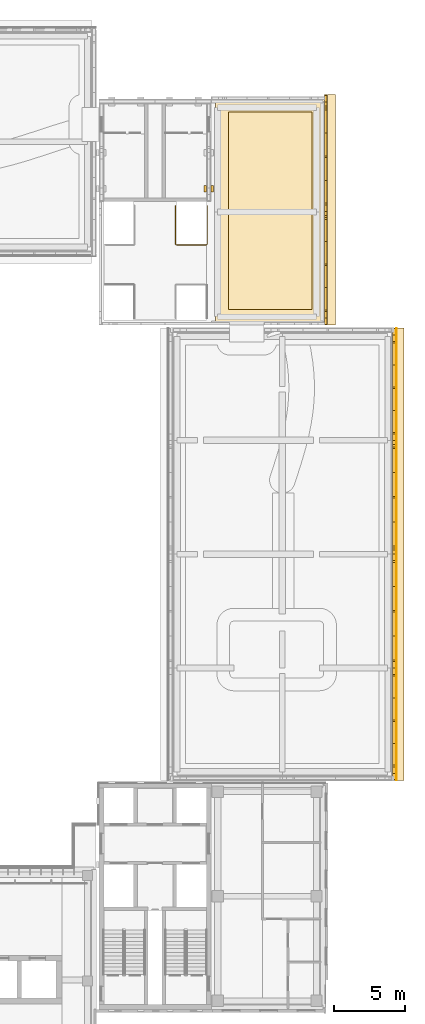
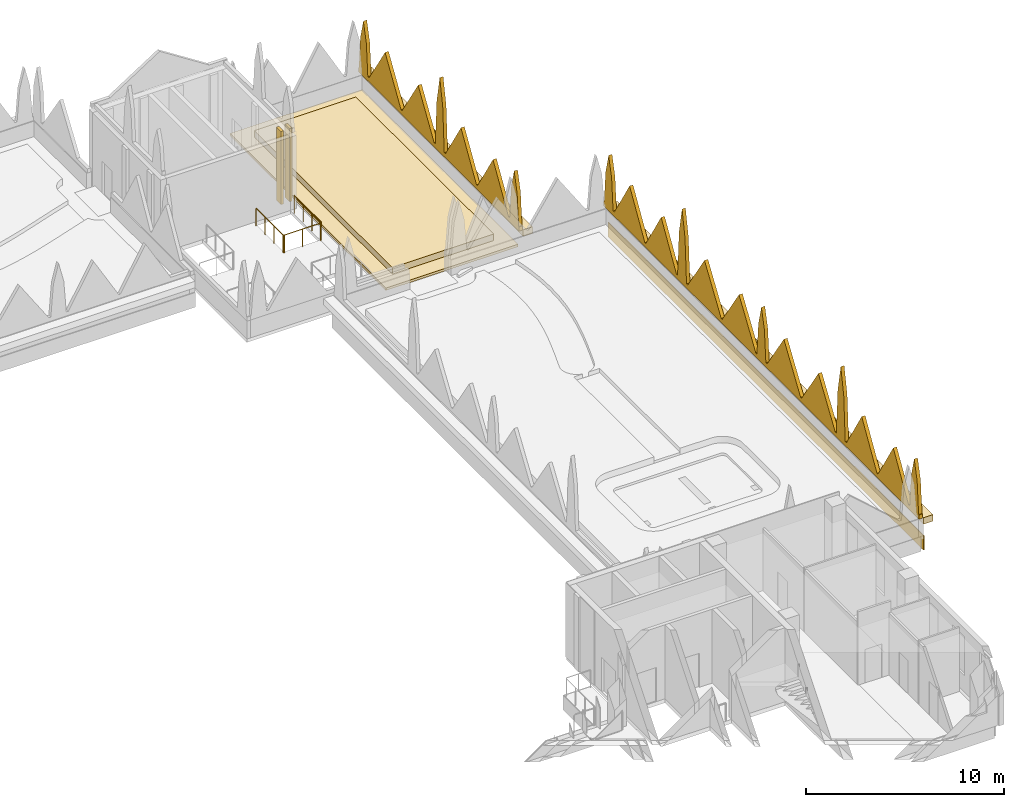
# One storey, part 43 of 46: 9 coverings, 1 railing.
"""IFC4 building model written with IfcOpenShell, lengths in metres."""

from ifc_helpers import new_model, si_unit, direction, frame, frame_2d, origin, origin_2d, place, context, subcontext, project, spatial, polyline, rectangle, circle, outline, extrude, material, layer, layer_set, type_object, element, save


model = new_model("IFC4")

# Units and contexts
model_context = context("Model", 3, precision=1e-05, world=origin(), true_north=direction((0.0, 1.0)))
body_context = subcontext(model_context, "Body", "Model", "MODEL_VIEW")
ifc_project = project(units=[si_unit("LENGTHUNIT", "METRE"), si_unit("AREAUNIT", "SQUARE_METRE"), si_unit("VOLUMEUNIT", "CUBIC_METRE"), si_unit("PLANEANGLEUNIT", "RADIAN"), si_unit("MASSUNIT", "GRAM", prefix="KILO")], contexts=[model_context])

# Site, building, storey
site_placement = place(None, origin())
site = spatial("IfcSite", under=ifc_project, at=site_placement, CompositionType="ELEMENT")
building_placement = place(site_placement, origin())
building = spatial("IfcBuilding", under=site, at=building_placement, Name="Lantern Court Media Centre", CompositionType="ELEMENT")
storey_placement = place(building_placement, frame((0.0, 0.0, 28.800048828125)))
storey = spatial("IfcBuildingStorey", under=building, at=storey_placement, Name="L06", CompositionType="ELEMENT", Elevation=28.800048828125)

# Railing
ifc_material_1 = material(Name="Powder-coated steel", Category="steel")
railing_type = type_object("IfcRailingType", Name="Floor edge guard 1100", PredefinedType="GUARDRAIL", material=ifc_material_1)
railing_placement = place(storey_placement, frame((85.489990234375, 104.5, 0.0)))
element("IfcRailing", 1, at=railing_placement, inside=storey, type_object=railing_type, Name="L06 opening guard 162", PredefinedType="GUARDRAIL", context=body_context, shape_type="SweptSolid", body=[
    extrude(circle(Radius=0.02392578125, at=origin_2d()), frame((0.0, 0.0, 1.076171875), z_axis=(0.0, -1.0, 0.0), x_axis=(1.0, 0.0, 0.0)), (0.0, 0.0, 1.0), 2.699951171875),
    extrude(circle(Radius=0.02392578125, at=origin_2d()), frame((0.0, -2.699951171875, 1.076171875), z_axis=(0.041630544712, -0.999133073092, 0.0), x_axis=(0.999133073092, 0.041630544712, 0.0)), (0.0, 0.0, 1.0), 0.005859375),
    extrude(circle(Radius=0.02392578125, at=origin_2d()), frame((0.000244140625, -2.705810546875, 1.076171875), z_axis=(0.164398987305, -0.986393923832, 0.0), x_axis=(0.986393923832, 0.164398987305, 0.0)), (0.0, 0.0, 1.0), 0.005859375),
    extrude(circle(Radius=0.02392578125, at=origin_2d()), frame((0.001220703125, -2.711669921875, 1.076171875), z_axis=(0.242535625036, -0.970142500145, 0.0), x_axis=(0.970142500145, 0.242535625036, 0.0)), (0.0, 0.0, 1.0), 0.006103515625),
    extrude(circle(Radius=0.02392578125, at=origin_2d()), frame((0.002685546875, -2.717529296875, 1.076171875), z_axis=(0.341743063087, -0.939793423488, 0.0), x_axis=(0.939793423488, 0.341743063087, 0.0)), (0.0, 0.0, 1.0), 0.005615234375),
    extrude(circle(Radius=0.02392578125, at=origin_2d()), frame((0.004638671875, -2.722900390625, 1.076171875), z_axis=(0.413802944301, -0.910366477463, 0.0), x_axis=(0.910366477463, 0.413802944301, 0.0)), (0.0, 0.0, 1.0), 0.005859375),
    extrude(circle(Radius=0.02392578125, at=origin_2d()), frame((0.007080078125, -2.728271484375, 1.076171875), z_axis=(0.496138938357, -0.868243142124, 0.0), x_axis=(0.868243142124, 0.496138938357, 0.0)), (0.0, 0.0, 1.0), 0.005859375),
    extrude(circle(Radius=0.02392578125, at=origin_2d()), frame((0.010009765625, -2.7333984375, 1.076171875), z_axis=(0.619644288579, -0.784882765533, 0.0), x_axis=(0.784882765533, 0.619644288579, 0.0)), (0.0, 0.0, 1.0), 0.005859375),
    extrude(circle(Radius=0.02392578125, at=origin_2d()), frame((0.013671875, -2.738037109375, 1.076171875), z_axis=(0.66436383883, -0.747409318684, 0.0), x_axis=(0.747409318684, 0.66436383883, 0.0)), (0.0, 0.0, 1.0), 0.005859375),
    extrude(circle(Radius=0.02392578125, at=origin_2d()), frame((0.017578125, -2.742431640625, 1.076171875), z_axis=(0.747409318684, -0.66436383883, 0.0), x_axis=(0.66436383883, 0.747409318684, 0.0)), (0.0, 0.0, 1.0), 0.005859375),
    extrude(circle(Radius=0.02392578125, at=origin_2d()), frame((0.02197265625, -2.746337890625, 1.076171875), z_axis=(0.784882765533, -0.619644288579, 0.0), x_axis=(0.619644288579, 0.784882765533, 0.0)), (0.0, 0.0, 1.0), 0.005859375),
    extrude(circle(Radius=0.02392578125, at=origin_2d()), frame((0.026611328125, -2.75, 1.076171875), z_axis=(0.868243142124, -0.496138938357, 0.0), x_axis=(0.496138938357, 0.868243142124, 0.0)), (0.0, 0.0, 1.0), 0.005859375),
    extrude(circle(Radius=0.02392578125, at=origin_2d()), frame((0.03173828125, -2.7529296875, 1.076171875), z_axis=(0.910366477463, -0.413802944301, 0.0), x_axis=(0.413802944301, 0.910366477463, 0.0)), (0.0, 0.0, 1.0), 0.005859375),
    extrude(circle(Radius=0.02392578125, at=origin_2d()), frame((0.037109375, -2.75537109375, 1.076171875), z_axis=(0.939793423488, -0.341743063087, 0.0), x_axis=(0.341743063087, 0.939793423488, 0.0)), (0.0, 0.0, 1.0), 0.005615234375),
    extrude(circle(Radius=0.02392578125, at=origin_2d()), frame((0.04248046875, -2.75732421875, 1.076171875), z_axis=(0.970142500145, -0.242535625036, 0.0), x_axis=(0.242535625036, 0.970142500145, 0.0)), (0.0, 0.0, 1.0), 0.006103515625),
    extrude(circle(Radius=0.02392578125, at=origin_2d()), frame((0.04833984375, -2.7587890625, 1.076171875), z_axis=(0.986393923832, -0.164398987305, 0.0), x_axis=(0.164398987305, 0.986393923832, 0.0)), (0.0, 0.0, 1.0), 0.005859375),
    extrude(circle(Radius=0.02392578125, at=origin_2d()), frame((0.05419921875, -2.759765625, 1.076171875), z_axis=(0.999133073092, -0.041630544712, 0.0), x_axis=(0.041630544712, 0.999133073092, 0.0)), (0.0, 0.0, 1.0), 0.005859375),
    extrude(circle(Radius=0.02392578125, at=origin_2d()), frame((0.06005859375, -2.760009765625, 1.076171875), z_axis=(1.0, 0.0, 0.0), x_axis=(0.0, 1.0, 0.0)), (0.0, 0.0, 1.0), 2.099853515625),
    extrude(circle(Radius=0.02392578125, at=origin_2d()), frame((2.159912109375, -2.760009765625, 1.076171875), z_axis=(0.999133073092, 0.041630544712, 0.0), x_axis=(-0.041630544712, 0.999133073092, 0.0)), (0.0, 0.0, 1.0), 0.005859375),
    extrude(circle(Radius=0.02392578125, at=origin_2d()), frame((2.165771484375, -2.759765625, 1.076171875), z_axis=(0.986393923832, 0.164398987305, 0.0), x_axis=(-0.164398987305, 0.986393923832, 0.0)), (0.0, 0.0, 1.0), 0.005859375),
    extrude(circle(Radius=0.02392578125, at=origin_2d()), frame((2.171630859375, -2.7587890625, 1.076171875), z_axis=(0.970142500145, 0.242535625036, 0.0), x_axis=(-0.242535625036, 0.970142500145, 0.0)), (0.0, 0.0, 1.0), 0.006103515625),
    extrude(circle(Radius=0.02392578125, at=origin_2d()), frame((2.177490234375, -2.75732421875, 1.076171875), z_axis=(0.939793423488, 0.341743063087, 0.0), x_axis=(-0.341743063087, 0.939793423488, 0.0)), (0.0, 0.0, 1.0), 0.005615234375),
    extrude(circle(Radius=0.02392578125, at=origin_2d()), frame((2.182861328125, -2.75537109375, 1.076171875), z_axis=(0.910366477463, 0.413802944301, 0.0), x_axis=(-0.413802944301, 0.910366477463, 0.0)), (0.0, 0.0, 1.0), 0.005859375),
    extrude(circle(Radius=0.02392578125, at=origin_2d()), frame((2.188232421875, -2.7529296875, 1.076171875), z_axis=(0.868243142124, 0.496138938357, 0.0), x_axis=(-0.496138938357, 0.868243142124, 0.0)), (0.0, 0.0, 1.0), 0.005859375),
    extrude(circle(Radius=0.02392578125, at=origin_2d()), frame((2.193359375, -2.75, 1.076171875), z_axis=(0.784882765533, 0.619644288579, 0.0), x_axis=(-0.619644288579, 0.784882765533, 0.0)), (0.0, 0.0, 1.0), 0.005859375),
    extrude(circle(Radius=0.02392578125, at=origin_2d()), frame((2.197998046875, -2.746337890625, 1.076171875), z_axis=(0.747409318684, 0.66436383883, 0.0), x_axis=(-0.66436383883, 0.747409318684, 0.0)), (0.0, 0.0, 1.0), 0.005859375),
    extrude(circle(Radius=0.02392578125, at=origin_2d()), frame((2.202392578125, -2.742431640625, 1.076171875), z_axis=(0.66436383883, 0.747409318684, 0.0), x_axis=(-0.747409318684, 0.66436383883, 0.0)), (0.0, 0.0, 1.0), 0.005859375),
    extrude(circle(Radius=0.02392578125, at=origin_2d()), frame((2.206298828125, -2.738037109375, 1.076171875), z_axis=(0.619644288579, 0.784882765533, 0.0), x_axis=(-0.784882765533, 0.619644288579, 0.0)), (0.0, 0.0, 1.0), 0.005859375),
    extrude(circle(Radius=0.02392578125, at=origin_2d()), frame((2.2099609375, -2.7333984375, 1.076171875), z_axis=(0.496138938357, 0.868243142124, 0.0), x_axis=(-0.868243142124, 0.496138938357, 0.0)), (0.0, 0.0, 1.0), 0.005859375),
    extrude(circle(Radius=0.02392578125, at=origin_2d()), frame((2.212890625, -2.728271484375, 1.076171875), z_axis=(0.413802944301, 0.910366477463, 0.0), x_axis=(-0.910366477463, 0.413802944301, 0.0)), (0.0, 0.0, 1.0), 0.005859375),
    extrude(circle(Radius=0.02392578125, at=origin_2d()), frame((2.21533203125, -2.722900390625, 1.076171875), z_axis=(0.378632845721, 0.925546956206, 0.0), x_axis=(-0.925546956206, 0.378632845721, 0.0)), (0.0, 0.0, 1.0), 0.005859375),
    extrude(circle(Radius=0.02392578125, at=origin_2d()), frame((2.217529296875, -2.717529296875, 1.076171875), z_axis=(0.203954254112, 0.978980419738, 0.0), x_axis=(-0.978980419738, 0.203954254112, 0.0)), (0.0, 0.0, 1.0), 0.006103515625),
    extrude(circle(Radius=0.02392578125, at=origin_2d()), frame((2.21875, -2.711669921875, 1.076171875), z_axis=(0.164398987305, 0.986393923832, 0.0), x_axis=(-0.986393923832, 0.164398987305, 0.0)), (0.0, 0.0, 1.0), 0.005859375),
    extrude(circle(Radius=0.02392578125, at=origin_2d()), frame((2.2197265625, -2.705810546875, 1.076171875), z_axis=(0.041630544712, 0.999133073092, 0.0), x_axis=(-0.999133073092, 0.041630544712, 0.0)), (0.0, 0.0, 1.0), 0.005859375),
    extrude(circle(Radius=0.02392578125, at=origin_2d()), frame((2.219970703125, -2.699951171875, 1.076171875), z_axis=(0.0, 1.0, 0.0), x_axis=(-1.0, 0.0, 0.0)), (0.0, 0.0, 1.0), 2.699951171875),
    extrude(circle(Radius=0.02099609375, at=origin_2d()), origin(), (0.0, 0.0, 1.0), 1.052001953125),
    extrude(circle(Radius=0.02099609375, at=origin_2d()), frame((0.0, -0.89990234375, 0.0)), (0.0, 0.0, 1.0), 1.052001953125),
    extrude(circle(Radius=0.02099609375, at=origin_2d()), frame((0.0, -1.800048828125, 0.0)), (0.0, 0.0, 1.0), 1.052001953125),
    extrude(circle(Radius=0.02099609375, at=origin_2d()), frame((0.0, -2.699951171875, 0.0)), (0.0, 0.0, 1.0), 1.052001953125),
    extrude(circle(Radius=0.02099609375, at=origin_2d()), frame((0.000244140625, -2.705810546875, 0.0)), (0.0, 0.0, 1.0), 1.052001953125),
    extrude(circle(Radius=0.02099609375, at=origin_2d()), frame((0.001220703125, -2.711669921875, 0.0)), (0.0, 0.0, 1.0), 1.052001953125),
    extrude(circle(Radius=0.02099609375, at=origin_2d()), frame((0.002685546875, -2.717529296875, 0.0)), (0.0, 0.0, 1.0), 1.052001953125),
    extrude(circle(Radius=0.02099609375, at=origin_2d()), frame((0.004638671875, -2.722900390625, 0.0)), (0.0, 0.0, 1.0), 1.052001953125),
    extrude(circle(Radius=0.02099609375, at=origin_2d()), frame((0.007080078125, -2.728271484375, 0.0)), (0.0, 0.0, 1.0), 1.052001953125),
    extrude(circle(Radius=0.02099609375, at=origin_2d()), frame((0.010009765625, -2.7333984375, 0.0)), (0.0, 0.0, 1.0), 1.052001953125),
    extrude(circle(Radius=0.02099609375, at=origin_2d()), frame((0.013671875, -2.738037109375, 0.0)), (0.0, 0.0, 1.0), 1.052001953125),
    extrude(circle(Radius=0.02099609375, at=origin_2d()), frame((0.017578125, -2.742431640625, 0.0)), (0.0, 0.0, 1.0), 1.052001953125),
    extrude(circle(Radius=0.02099609375, at=origin_2d()), frame((0.02197265625, -2.746337890625, 0.0)), (0.0, 0.0, 1.0), 1.052001953125),
    extrude(circle(Radius=0.02099609375, at=origin_2d()), frame((0.026611328125, -2.75, 0.0)), (0.0, 0.0, 1.0), 1.052001953125),
    extrude(circle(Radius=0.02099609375, at=origin_2d()), frame((0.03173828125, -2.7529296875, 0.0)), (0.0, 0.0, 1.0), 1.052001953125),
    extrude(circle(Radius=0.02099609375, at=origin_2d()), frame((0.037109375, -2.75537109375, 0.0)), (0.0, 0.0, 1.0), 1.052001953125),
    extrude(circle(Radius=0.02099609375, at=origin_2d()), frame((0.04248046875, -2.75732421875, 0.0)), (0.0, 0.0, 1.0), 1.052001953125),
    extrude(circle(Radius=0.02099609375, at=origin_2d()), frame((0.04833984375, -2.7587890625, 0.0)), (0.0, 0.0, 1.0), 1.052001953125),
    extrude(circle(Radius=0.02099609375, at=origin_2d()), frame((0.05419921875, -2.759765625, 0.0)), (0.0, 0.0, 1.0), 1.052001953125),
    extrude(circle(Radius=0.02099609375, at=origin_2d()), frame((0.06005859375, -2.760009765625, 0.0)), (0.0, 0.0, 1.0), 1.052001953125),
    extrude(circle(Radius=0.02099609375, at=origin_2d()), frame((1.10986328125, -2.760009765625, 0.0)), (0.0, 0.0, 1.0), 1.052001953125),
    extrude(circle(Radius=0.02099609375, at=origin_2d()), frame((2.159912109375, -2.760009765625, 0.0)), (0.0, 0.0, 1.0), 1.052001953125),
    extrude(circle(Radius=0.02099609375, at=origin_2d()), frame((2.165771484375, -2.759765625, 0.0)), (0.0, 0.0, 1.0), 1.052001953125),
    extrude(circle(Radius=0.02099609375, at=origin_2d()), frame((2.171630859375, -2.7587890625, 0.0)), (0.0, 0.0, 1.0), 1.052001953125),
    extrude(circle(Radius=0.02099609375, at=origin_2d()), frame((2.177490234375, -2.75732421875, 0.0)), (0.0, 0.0, 1.0), 1.052001953125),
    extrude(circle(Radius=0.02099609375, at=origin_2d()), frame((2.182861328125, -2.75537109375, 0.0)), (0.0, 0.0, 1.0), 1.052001953125),
    extrude(circle(Radius=0.02099609375, at=origin_2d()), frame((2.188232421875, -2.7529296875, 0.0)), (0.0, 0.0, 1.0), 1.052001953125),
    extrude(circle(Radius=0.02099609375, at=origin_2d()), frame((2.193359375, -2.75, 0.0)), (0.0, 0.0, 1.0), 1.052001953125),
    extrude(circle(Radius=0.02099609375, at=origin_2d()), frame((2.197998046875, -2.746337890625, 0.0)), (0.0, 0.0, 1.0), 1.052001953125),
    extrude(circle(Radius=0.02099609375, at=origin_2d()), frame((2.202392578125, -2.742431640625, 0.0)), (0.0, 0.0, 1.0), 1.052001953125),
    extrude(circle(Radius=0.02099609375, at=origin_2d()), frame((2.206298828125, -2.738037109375, 0.0)), (0.0, 0.0, 1.0), 1.052001953125),
    extrude(circle(Radius=0.02099609375, at=origin_2d()), frame((2.2099609375, -2.7333984375, 0.0)), (0.0, 0.0, 1.0), 1.052001953125),
    extrude(circle(Radius=0.02099609375, at=origin_2d()), frame((2.212890625, -2.728271484375, 0.0)), (0.0, 0.0, 1.0), 1.052001953125),
    extrude(circle(Radius=0.02099609375, at=origin_2d()), frame((2.21533203125, -2.722900390625, 0.0)), (0.0, 0.0, 1.0), 1.052001953125),
    extrude(circle(Radius=0.02099609375, at=origin_2d()), frame((2.217529296875, -2.717529296875, 0.0)), (0.0, 0.0, 1.0), 1.052001953125),
    extrude(circle(Radius=0.02099609375, at=origin_2d()), frame((2.21875, -2.711669921875, 0.0)), (0.0, 0.0, 1.0), 1.052001953125),
    extrude(circle(Radius=0.02099609375, at=origin_2d()), frame((2.2197265625, -2.705810546875, 0.0)), (0.0, 0.0, 1.0), 1.052001953125),
    extrude(circle(Radius=0.02099609375, at=origin_2d()), frame((2.219970703125, -2.699951171875, 0.0)), (0.0, 0.0, 1.0), 1.052001953125),
    extrude(circle(Radius=0.02099609375, at=origin_2d()), frame((2.219970703125, -1.800048828125, 0.0)), (0.0, 0.0, 1.0), 1.052001953125),
    extrude(circle(Radius=0.02099609375, at=origin_2d()), frame((2.219970703125, -0.89990234375, 0.0)), (0.0, 0.0, 1.0), 1.052001953125),
    extrude(circle(Radius=0.02099609375, at=origin_2d()), frame((2.219970703125, 0.0, 0.0)), (0.0, 0.0, 1.0), 1.052001953125),
])

# Coverings
ifc_material_2 = material(Name="White glass-fibre reinforced cement cladding", Category="concrete")
ifc_layer_1 = layer(ifc_material_2, 0.050048828125)
ifc_layer_set_1 = layer_set([ifc_layer_1], Name="White glass-fibre reinforced cement cladding")
covering_type_1 = type_object("IfcCoveringType", Name="Floor-edge band 50", PredefinedType="CLADDING", material=ifc_layer_set_1)
covering_1_placement = place(storey_placement, frame((101.02490234375, 64.10009765625, -0.900146484375), z_axis=(0.0, 0.0, 1.0), x_axis=(0.0, 1.0, 0.0)))
element("IfcCovering", 2, at=covering_1_placement, inside=storey, type_object=covering_type_1, Name="Floor-edge band E outer roof", PredefinedType="CLADDING", context=body_context, shape_type="SweptSolid", body=[
    extrude(rectangle(XDim=31.7998046875, YDim=0.050048828125, at=frame_2d((15.89990234375, 0.0))), origin(), (0.0, 0.0, 1.0), 0.900146484375),
])
ifc_material_3 = material(Name="Honed limestone cladding on blockwork", Category="masonry")
ifc_layer_2 = layer(ifc_material_3, 0.550048828125)
ifc_layer_set_2 = layer_set([ifc_layer_2], Name="Honed limestone cladding on blockwork")
covering_type_2 = type_object("IfcCoveringType", Name="Limestone cornice 550", PredefinedType="CLADDING", material=ifc_layer_set_2)
covering_2_placement = place(storey_placement, frame((96.445068359375, 96.10009765625, 0.699951171875), z_axis=(0.0, 0.0, 1.0), x_axis=(0.0, 1.0, 0.0)))
element("IfcCovering", 3, at=covering_2_placement, inside=storey, type_object=covering_type_2, Name="Attic cornice", PredefinedType="CLADDING", context=body_context, shape_type="SweptSolid", body=[
    extrude(rectangle(XDim=16.199951171875, YDim=0.550048828125, at=frame_2d((8.10009765625, 0.0))), origin(), (0.0, 0.0, 1.0), 0.39990234375),
])
covering_3_placement = place(storey_placement, frame((101.27490234375, 64.10009765625, 0.699951171875), z_axis=(0.0, 0.0, 1.0), x_axis=(0.0, 1.0, 0.0)))
element("IfcCovering", 4, at=covering_3_placement, inside=storey, type_object=covering_type_2, Name="Attic cornice", PredefinedType="CLADDING", context=body_context, shape_type="SweptSolid", body=[
    extrude(rectangle(XDim=31.7998046875, YDim=0.550048828125, at=frame_2d((15.89990234375, 0.0))), origin(), (0.0, 0.0, 1.0), 0.39990234375),
])
ifc_layer_3 = layer(ifc_material_3, 0.199951171875)
ifc_layer_set_3 = layer_set([ifc_layer_3], Name="Honed limestone cladding on blockwork")
covering_type_3 = type_object("IfcCoveringType", Name="Limestone cresting 200", PredefinedType="CLADDING", material=ifc_layer_set_3)
covering_4_placement = place(storey_placement, frame((96.044921875, 96.10009765625, 1.099853515625), z_axis=(0.0, 0.0, 1.0), x_axis=(0.0, 1.0, 0.0)))
element("IfcCovering", 5, at=covering_4_placement, inside=storey, type_object=covering_type_3, Name="Parapet cresting", PredefinedType="CLADDING", context=body_context, shape_type="SweptSolid", body=[
    extrude(outline(polyline([(0.0, 0.0), (16.199951171875, 0.0), (16.199951171875, 0.25), (16.14990234375, 0.25), (16.0, 2.210205078125), (15.699951171875, 3.400146484375), (15.39990234375, 2.210205078125), (15.25, 0.25), (15.1298828125, 0.25), (13.514892578125, 2.800048828125), (11.89990234375, 0.25), (11.800048828125, 0.25), (10.18505859375, 2.800048828125), (8.570068359375, 0.25), (8.449951171875, 0.25), (8.300048828125, 2.983642578125), (8.0, 4.590087890625), (7.699951171875, 2.983642578125), (7.550048828125, 0.25), (7.429931640625, 0.25), (5.864990234375, 2.800048828125), (4.300048828125, 0.25), (4.199951171875, 0.25), (2.635009765625, 2.800048828125), (1.070068359375, 0.25), (0.949951171875, 0.25), (0.800048828125, 2.210205078125), (0.5, 3.400146484375), (0.199951171875, 2.210205078125), (0.050048828125, 0.25), (0.0, 0.25), (0.0, 0.0)])), frame((0.0, 0.10009765625, 0.0), z_axis=(0.0, -1.0, 0.0), x_axis=(1.0, 0.0, 0.0)), (0.0, 0.0, 1.0), 0.199951171875),
])
covering_5_placement = place(storey_placement, frame((100.85009765625, 64.10009765625, 1.099853515625), z_axis=(0.0, 0.0, 1.0), x_axis=(0.0, 1.0, 0.0)))
element("IfcCovering", 6, at=covering_5_placement, inside=storey, type_object=covering_type_3, Name="Parapet cresting", PredefinedType="CLADDING", context=body_context, shape_type="SweptSolid", body=[
    extrude(outline(polyline([(0.0, 0.0), (31.7998046875, 0.0), (31.800048828125, 0.25), (31.75, 0.25), (31.60009765625, 2.210205078125), (31.300048828125, 3.400146484375), (31.0, 2.210205078125), (30.85009765625, 0.25), (30.72998046875, 0.25), (29.18994140625, 2.800048828125), (27.64990234375, 0.25), (27.550048828125, 0.25), (26.010009765625, 2.800048828125), (24.469970703125, 0.25), (24.35009765625, 0.25), (24.199951171875, 2.983642578125), (23.89990234375, 4.590087890625), (23.60009765625, 2.983642578125), (23.449951171875, 0.25), (23.330078125, 0.25), (21.639892578125, 2.800048828125), (19.949951171875, 0.25), (19.85009765625, 0.25), (18.159912109375, 2.800048828125), (16.469970703125, 0.25), (16.35009765625, 0.25), (16.199951171875, 2.210205078125), (15.89990234375, 3.400146484375), (15.60009765625, 2.210205078125), (15.449951171875, 0.25), (15.330078125, 0.25), (13.639892578125, 2.800048828125), (11.949951171875, 0.25), (11.85009765625, 0.25), (10.159912109375, 2.800048828125), (8.469970703125, 0.25), (8.35009765625, 0.25), (8.199951171875, 2.983642578125), (7.89990234375, 4.590087890625), (7.60009765625, 2.983642578125), (7.449951171875, 0.25), (7.330078125, 0.25), (5.7900390625, 2.800048828125), (4.25, 0.25), (4.14990234375, 0.25), (2.610107421875, 2.800048828125), (1.070068359375, 0.25), (0.949951171875, 0.25), (0.800048828125, 2.210205078125), (0.5, 3.400146484375), (0.199951171875, 2.210205078125), (0.050048828125, 0.25), (0.0, 0.25), (0.0, 0.0)])), frame((0.0, 0.10009765625, 0.0), z_axis=(0.0, -1.0, 0.0), x_axis=(1.0, 0.0, 0.0)), (0.0, 0.0, 1.0), 0.199951171875),
])
ifc_material_4 = material(Name="Honed limestone cladding", Category="masonry")
ifc_layer_4 = layer(ifc_material_4, 0.14990234375)
ifc_layer_set_4 = layer_set([ifc_layer_4], Name="Honed limestone cladding")
covering_type_4 = type_object("IfcCoveringType", Name="Limestone pilaster cladding 150", PredefinedType="CLADDING", material=ifc_layer_set_4)
for number, where, z_axis, x_axis, name in (
    (7, (88.074951171875, 105.925048828125, 0.0), (0.0, 0.0, 1.0), (0.0, -1.0, 0.0), "Limestone pilaster rib"),
    (8, (87.574951171875, 105.925048828125, 0.0), (0.0, 0.0, 1.0), (0.0, -1.0, 0.0), "Limestone pilaster rib"),
):
    element("IfcCovering", number, at=place(storey_placement, frame(where, z_axis=z_axis, x_axis=x_axis)), inside=storey, type_object=covering_type_4, Name=name, PredefinedType="CLADDING", context=body_context, shape_type="SweptSolid", body=[
        extrude(rectangle(XDim=0.449951171875, YDim=0.14990234375, at=frame_2d((0.22509765625, 0.0))), origin(), (0.0, 0.0, 1.0), 4.5),
    ])
ifc_material_5 = material(Name="Planting substrate")
ifc_layer_5 = layer(ifc_material_5, 0.39990234375)
ifc_layer_set_5 = layer_set([ifc_layer_5], Name="Planting substrate")
covering_type_5 = type_object("IfcCoveringType", Name="Planted roof garden build-up 400", PredefinedType="ROOFING", material=ifc_layer_set_5)
covering_6_placement = place(storey_placement, frame((0.0, 0.0, 0.14990234375)))
element("IfcCovering", 9, at=covering_6_placement, inside=storey, type_object=covering_type_5, Name="Planted roof garden NE", PredefinedType="ROOFING", context=body_context, shape_type="SweptSolid", body=[
    extrude(outline(polyline([(89.199951171875, 97.199951171875), (89.199951171875, 111.10009765625), (95.10009765625, 111.10009765625), (95.10009765625, 97.199951171875), (89.199951171875, 97.199951171875)])), origin(), (0.0, 0.0, 1.0), 0.400146484375),
])
ifc_material_6 = material(Name="Bituminous waterproofing membrane with insulation")
ifc_layer_6 = layer(ifc_material_6, 0.14990234375)
ifc_layer_set_6 = layer_set([ifc_layer_6], Name="Bituminous waterproofing membrane with insulation")
covering_type_6 = type_object("IfcCoveringType", Name="Roof waterproofing and insulation 150", PredefinedType="ROOFING", material=ifc_layer_set_6)
covering_7_placement = place(storey_placement, origin())
element("IfcCovering", 10, at=covering_7_placement, inside=storey, type_object=covering_type_6, Name="Roof waterproofing NE", PredefinedType="ROOFING", context=body_context, shape_type="SweptSolid", body=[
    extrude(outline(polyline([(88.300048828125, 96.300048828125), (88.300048828125, 112.0), (96.0, 112.0), (96.0, 96.300048828125), (88.300048828125, 96.300048828125)])), origin(), (0.0, 0.0, 1.0), 0.14990234375),
])

save(model, "model.ifc")
